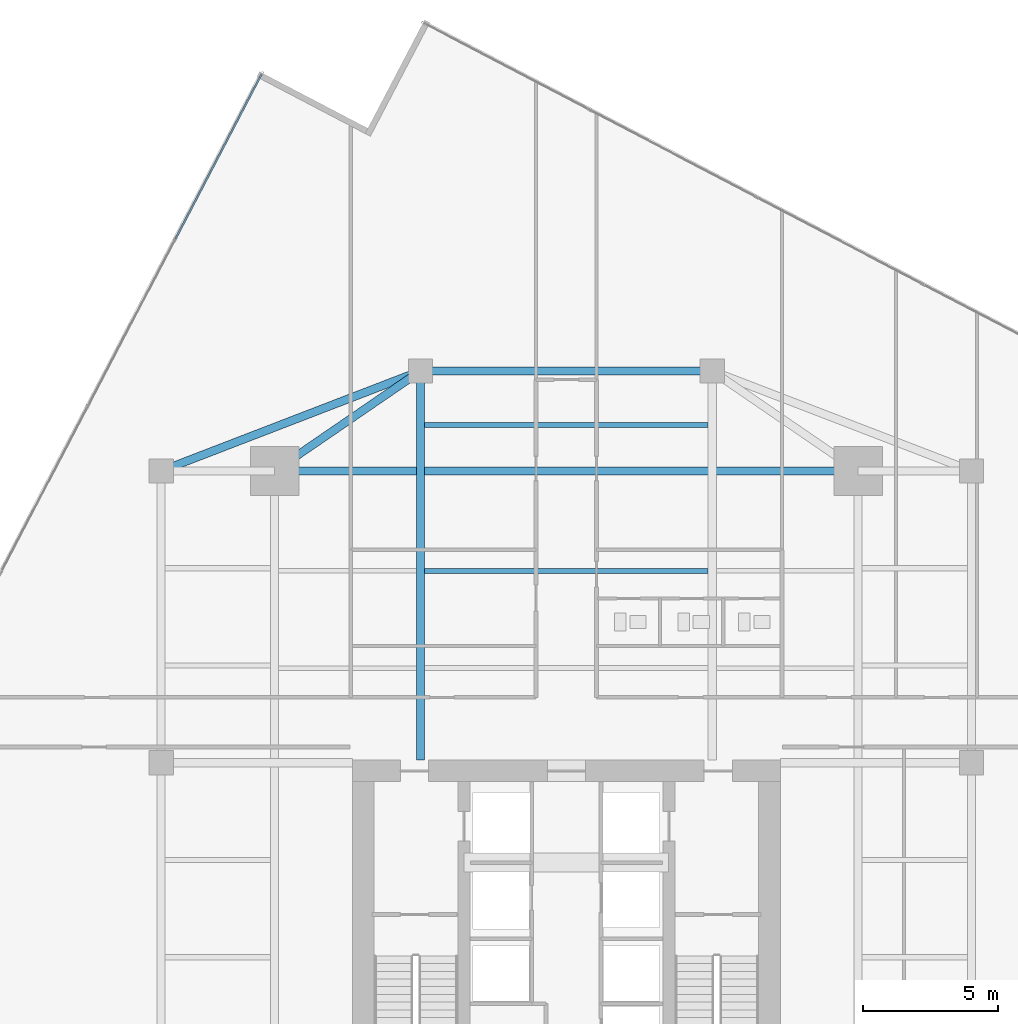
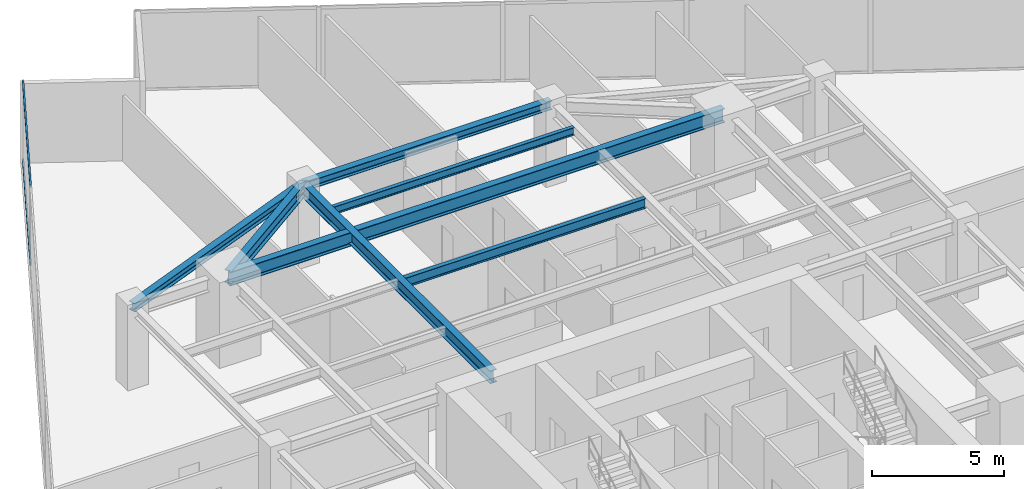
# One storey, part 15 of 27: 7 beams, 2 members, 1 element without a shape of its own.
"""IFC4 building model written with IfcOpenShell, lengths in metres."""

from ifc_helpers import new_model, si_unit, direction, frame, origin, origin_2d, place, context, subcontext, project, spatial, hollow_rectangle, i_section, extrude, source, transform, mapped, material, material_profile, profile_set, type_object, type_shapes, element, aggregate, save


model = new_model("IFC4")

# Units and contexts
model_context = context("Model", 3, precision=1e-05, world=origin(), true_north=direction((0.0, 1.0)))
body_context = subcontext(model_context, "Body", "Model", "MODEL_VIEW")
ifc_project = project(units=[si_unit("LENGTHUNIT", "METRE"), si_unit("AREAUNIT", "SQUARE_METRE"), si_unit("VOLUMEUNIT", "CUBIC_METRE"), si_unit("PLANEANGLEUNIT", "RADIAN"), si_unit("MASSUNIT", "GRAM", prefix="KILO")], contexts=[model_context])

# Site, building, storey
site_placement = place(None, origin())
site = spatial("IfcSite", under=ifc_project, at=site_placement, CompositionType="ELEMENT")
building_placement = place(site_placement, origin())
building = spatial("IfcBuilding", under=site, at=building_placement, Name="Krantzveldt Concourse Tower", CompositionType="ELEMENT")
storey_placement = place(building_placement, frame((0.0, 0.0, 158.050048828125)))
storey = spatial("IfcBuildingStorey", under=building, at=storey_placement, Name="L38", CompositionType="ELEMENT", Elevation=158.050048828125)

# Beams
ifc_material_1 = material(Name="Steel S355JR", Category="steel")
ifc_material_profile_1 = material_profile(ifc_material_1, i_section(OverallWidth=0.300048828125, OverallDepth=0.639892578125, WebThickness=0.013427734375, FlangeThickness=0.02587890625, FilletRadius=0.027099609375, at=origin_2d()), Name="Steel S355JR", Category="steel")
ifc_profile_set_1 = profile_set([ifc_material_profile_1], Name="Steel S355JR - HEA 650")
beam_type_1 = type_object("IfcBeamType", Name="BM-B-HEA650", PredefinedType="BEAM", material=ifc_profile_set_1)
shared_shape_1 = source(origin(), body_context, "Body", "SweptSolid", [
    extrude(i_section(OverallWidth=0.300048828125, OverallDepth=0.639892578125, WebThickness=0.013427734375, FlangeThickness=0.02587890625, FilletRadius=0.027099609375, at=origin_2d()), origin(), (0.0, 0.0, 1.0), 21.60009765625),
])
type_shapes(beam_type_1, [shared_shape_1])
beam_1_placement = place(storey_placement, frame((25.199951171875, 37.5, 3.349853515625), z_axis=(1.0, 0.0, 0.0), x_axis=(0.0, 1.0, 0.0)))
element("IfcBeam", 1, at=beam_1_placement, inside=storey, type_object=beam_type_1, Name="L38 Tower Girder BG-MN", PredefinedType="BEAM", context=body_context, shape_type="MappedRepresentation", body=[
    mapped(shared_shape_1, transform((0.0, 0.0, 0.0), x_axis=(1.0, 0.0, 0.0), y_axis=(0.0, 1.0, 0.0), z_axis=(0.0, 0.0, 1.0), scale=1.0)),
])
ifc_material_profile_2 = material_profile(ifc_material_1, i_section(OverallWidth=0.300048828125, OverallDepth=0.590087890625, WebThickness=0.012939453125, FlangeThickness=0.02490234375, FilletRadius=0.027099609375, at=origin_2d()), Name="Steel S355JR", Category="steel")
ifc_profile_set_2 = profile_set([ifc_material_profile_2], Name="Steel S355JR - HEA 600")
beam_type_2 = type_object("IfcBeamType", Name="BM-B-HEA600", PredefinedType="BEAM", material=ifc_profile_set_2)
shared_shape_2 = source(origin(), body_context, "Body", "SweptSolid", [
    extrude(i_section(OverallWidth=0.300048828125, OverallDepth=0.590087890625, WebThickness=0.012939453125, FlangeThickness=0.02490234375, FilletRadius=0.027099609375, at=origin_2d()), origin(), (0.0, 0.0, 1.0), 14.39990234375),
])
beam_2_placement = place(storey_placement, frame((30.60009765625, 26.800048828125, 3.375), z_axis=(0.0, 1.0, 0.0), x_axis=(-1.0, 0.0, 0.0)))
element("IfcBeam", 2, at=beam_2_placement, inside=storey, type_object=beam_type_2, Name="L38 Tower Girder BG-CNW", PredefinedType="BEAM", context=body_context, shape_type="MappedRepresentation", body=[
    mapped(shared_shape_2, transform((0.0, 0.0, 0.0), x_axis=(1.0, 0.0, 0.0), y_axis=(0.0, 1.0, 0.0), z_axis=(0.0, 0.0, 1.0), scale=1.0)),
])
shared_shape_3 = source(origin(), body_context, "Body", "SweptSolid", [
    extrude(i_section(OverallWidth=0.300048828125, OverallDepth=0.590087890625, WebThickness=0.012939453125, FlangeThickness=0.02490234375, FilletRadius=0.027099609375, at=origin_2d()), origin(), (0.0, 0.0, 1.0), 6.546142578125),
])
type_shapes(beam_type_2, [shared_shape_2, shared_shape_3])
beam_3_placement = place(storey_placement, frame((25.199951171875, 37.5, 3.375), z_axis=(0.824942999484, 0.565215930068, 0.0), x_axis=(-0.565215930068, 0.824942999484, 0.0)))
element("IfcBeam", 3, at=beam_3_placement, inside=storey, type_object=beam_type_2, Name="L38 Tower Girder BR-RL4", PredefinedType="BEAM", context=body_context, shape_type="MappedRepresentation", body=[
    mapped(shared_shape_3, transform((0.0, 0.0, 0.0), x_axis=(1.0, 0.0, 0.0), y_axis=(0.0, 1.0, 0.0), z_axis=(0.0, 0.0, 1.0), scale=1.0)),
])
ifc_material_profile_3 = material_profile(ifc_material_1, i_section(OverallWidth=0.18994140625, OverallDepth=0.449951171875, WebThickness=0.009521484375, FlangeThickness=0.0146484375, FilletRadius=0.02099609375, at=origin_2d()), Name="Steel S355JR", Category="steel")
ifc_profile_set_3 = profile_set([ifc_material_profile_3], Name="Steel S355JR - IPE 450")
beam_type_3 = type_object("IfcBeamType", Name="BM-J-IPE450", PredefinedType="JOIST", material=ifc_profile_set_3)
shared_shape_4 = source(origin(), body_context, "Body", "SweptSolid", [
    extrude(i_section(OverallWidth=0.18994140625, OverallDepth=0.449951171875, WebThickness=0.009521484375, FlangeThickness=0.0146484375, FilletRadius=0.02099609375, at=origin_2d()), origin(), (0.0, 0.0, 1.0), 10.5),
])
type_shapes(beam_type_3, [shared_shape_4])
beam_4_placement = place(storey_placement, frame((30.75, 33.800048828125, 3.445068359375), z_axis=(1.0, 0.0, 0.0), x_axis=(0.0, 1.0, 0.0)))
element("IfcBeam", 4, at=beam_4_placement, inside=storey, type_object=beam_type_3, Name="L38 Secondary Floor Joist JN-C2", PredefinedType="JOIST", context=body_context, shape_type="MappedRepresentation", body=[
    mapped(shared_shape_4, transform((0.0, 0.0, 0.0), x_axis=(1.0, 0.0, 0.0), y_axis=(0.0, 1.0, 0.0), z_axis=(0.0, 0.0, 1.0), scale=1.0)),
])
ifc_material_profile_4 = material_profile(ifc_material_1, i_section(OverallWidth=0.300048828125, OverallDepth=0.389892578125, WebThickness=0.010986328125, FlangeThickness=0.01904296875, FilletRadius=0.027099609375, at=origin_2d()), Name="Steel S355JR", Category="steel")
ifc_profile_set_4 = profile_set([ifc_material_profile_4], Name="Steel S355JR - HEA 400")
beam_type_4 = type_object("IfcBeamType", Name="BM-SP-HEA400", PredefinedType="SPANDREL", material=ifc_profile_set_4)
shared_shape_5 = source(origin(), body_context, "Body", "SweptSolid", [
    extrude(i_section(OverallWidth=0.300048828125, OverallDepth=0.389892578125, WebThickness=0.010986328125, FlangeThickness=0.01904296875, FilletRadius=0.027099609375, at=origin_2d()), origin(), (0.0, 0.0, 1.0), 10.288330078125),
])
beam_5_placement = place(storey_placement, frame((21.0, 37.5, 3.474853515625), z_axis=(0.933097690408, 0.359622997257, 0.0), x_axis=(-0.359622997257, 0.933097690408, 0.0)))
element("IfcBeam", 5, at=beam_5_placement, inside=storey, type_object=beam_type_4, Name="L38 Tower Girder SP-R03", PredefinedType="SPANDREL", context=body_context, shape_type="MappedRepresentation", body=[
    mapped(shared_shape_5, transform((0.0, 0.0, 0.0), x_axis=(1.0, 0.0, 0.0), y_axis=(0.0, 1.0, 0.0), z_axis=(0.0, 0.0, 1.0), scale=1.0)),
])
shared_shape_6 = source(origin(), body_context, "Body", "SweptSolid", [
    extrude(i_section(OverallWidth=0.300048828125, OverallDepth=0.389892578125, WebThickness=0.010986328125, FlangeThickness=0.01904296875, FilletRadius=0.027099609375, at=origin_2d()), origin(), (0.0, 0.0, 1.0), 10.7998046875),
])
type_shapes(beam_type_4, [shared_shape_5, shared_shape_6])
beam_6_placement = place(storey_placement, frame((30.60009765625, 41.199951171875, 3.474853515625), z_axis=(1.0, 0.0, 0.0), x_axis=(0.0, 1.0, 0.0)))
element("IfcBeam", 6, at=beam_6_placement, inside=storey, type_object=beam_type_4, Name="L38 Tower Girder SP-R04", PredefinedType="SPANDREL", context=body_context, shape_type="MappedRepresentation", body=[
    mapped(shared_shape_6, transform((0.0, 0.0, 0.0), x_axis=(1.0, 0.0, 0.0), y_axis=(0.0, 1.0, 0.0), z_axis=(0.0, 0.0, 1.0), scale=1.0)),
])
ifc_material_profile_5 = material_profile(ifc_material_1, i_section(OverallWidth=0.169921875, OverallDepth=0.360107421875, WebThickness=0.008056640625, FlangeThickness=0.0126953125, FilletRadius=0.01806640625, at=origin_2d()), Name="Steel S355JR", Category="steel")
ifc_profile_set_5 = profile_set([ifc_material_profile_5], Name="Steel S355JR - IPE 360")
beam_type_5 = type_object("IfcBeamType", Name="BM-J-IPE360", PredefinedType="JOIST", material=ifc_profile_set_5)
shared_shape_7 = source(origin(), body_context, "Body", "SweptSolid", [
    extrude(i_section(OverallWidth=0.169921875, OverallDepth=0.360107421875, WebThickness=0.008056640625, FlangeThickness=0.0126953125, FilletRadius=0.01806640625, at=origin_2d()), origin(), (0.0, 0.0, 1.0), 10.5),
])
type_shapes(beam_type_5, [shared_shape_7])
beam_7_placement = place(storey_placement, frame((30.75, 39.199951171875, 3.489990234375), z_axis=(1.0, 0.0, 0.0), x_axis=(0.0, 1.0, 0.0)))
element("IfcBeam", 7, at=beam_7_placement, inside=storey, type_object=beam_type_5, Name="L38 Secondary Floor Joist JN-C3", PredefinedType="JOIST", context=body_context, shape_type="MappedRepresentation", body=[
    mapped(shared_shape_7, transform((0.0, 0.0, 0.0), x_axis=(1.0, 0.0, 0.0), y_axis=(0.0, 1.0, 0.0), z_axis=(0.0, 0.0, 1.0), scale=1.0)),
])

# Curtain wall, members
ifc_material_2 = material(Name="Anodised aluminium 6063-T6", Category="aluminium")
curtain_wall_type = type_object("IfcCurtainWallType", Name="CW3", PredefinedType="USERDEFINED", material=ifc_material_2)
curtain_wall_placement = place(storey_placement, origin())
curtain_wall = element("IfcCurtainWall", 8, at=curtain_wall_placement, inside=storey, type_object=curtain_wall_type, Name="CW-L38-F01", ObjectType="UNITISED CURTAIN WALL", PredefinedType="USERDEFINED")
ifc_material_profile_6 = material_profile(ifc_material_2, hollow_rectangle(XDim=0.070068359375, YDim=0.139892578125, WallThickness=0.0048828125, at=origin_2d()), Name="Anodised aluminium 6063-T6", Category="aluminium")
ifc_profile_set_6 = profile_set([ifc_material_profile_6], Name="Anodised aluminium 6063-T6 - ALU-TRAN 140x70x5")
member_type = type_object("IfcMemberType", Name="CW-TRN-150", PredefinedType="USERDEFINED", material=ifc_profile_set_6)
shared_shape_8 = source(origin(), body_context, "Body", "SweptSolid", [
    extrude(hollow_rectangle(XDim=0.070068359375, YDim=0.139892578125, WallThickness=0.0048828125, at=origin_2d()), origin(), (0.0, 0.0, 1.0), 6.85498046875),
])
type_shapes(member_type, [shared_shape_8])
member_1_placement = place(storey_placement, frame((24.7119140625, 52.167236328125, 0.034912109375), z_axis=(-0.463676917957, -0.886004354252, 0.0), x_axis=(0.886004354252, -0.463676917957, 0.0)))
member_1 = element("IfcMember", 9, at=member_1_placement, type_object=member_type, Name="CW-Z34 transom 1.1", ObjectType="TRANSOM", PredefinedType="USERDEFINED", context=body_context, shape_type="MappedRepresentation", body=[
    mapped(shared_shape_8, transform((0.0, 0.0, 0.0), x_axis=(1.0, 0.0, 0.0), y_axis=(0.0, 1.0, 0.0), z_axis=(0.0, 0.0, 1.0), scale=1.0)),
])
member_2_placement = place(storey_placement, frame((24.7119140625, 52.167236328125, 3.635009765625), z_axis=(-0.463676917957, -0.886004354252, 0.0), x_axis=(0.886004354252, -0.463676917957, 0.0)))
member_2 = element("IfcMember", 10, at=member_2_placement, type_object=member_type, Name="CW-Z34 transom 1.2", ObjectType="TRANSOM", PredefinedType="USERDEFINED", context=body_context, shape_type="MappedRepresentation", body=[
    mapped(shared_shape_8, transform((0.0, 0.0, 0.0), x_axis=(1.0, 0.0, 0.0), y_axis=(0.0, 1.0, 0.0), z_axis=(0.0, 0.0, 1.0), scale=1.0)),
])
aggregate(curtain_wall, [member_1, member_2])

save(model, "model.ifc")
